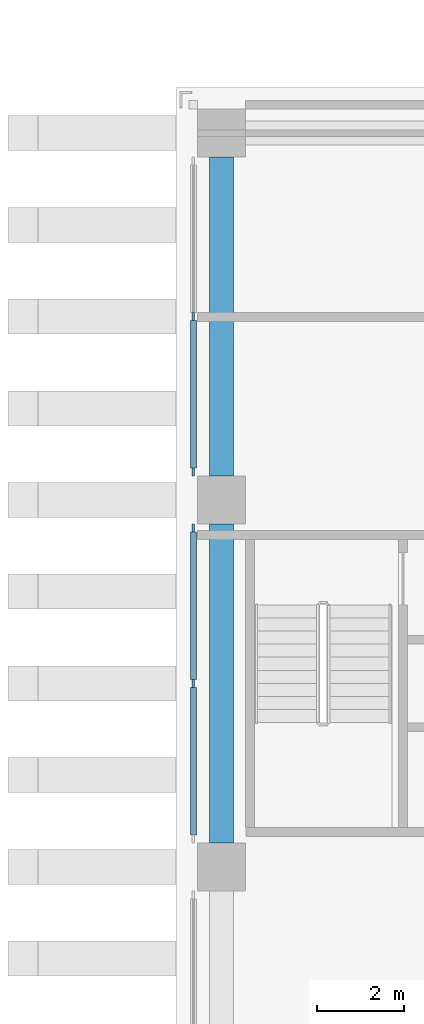
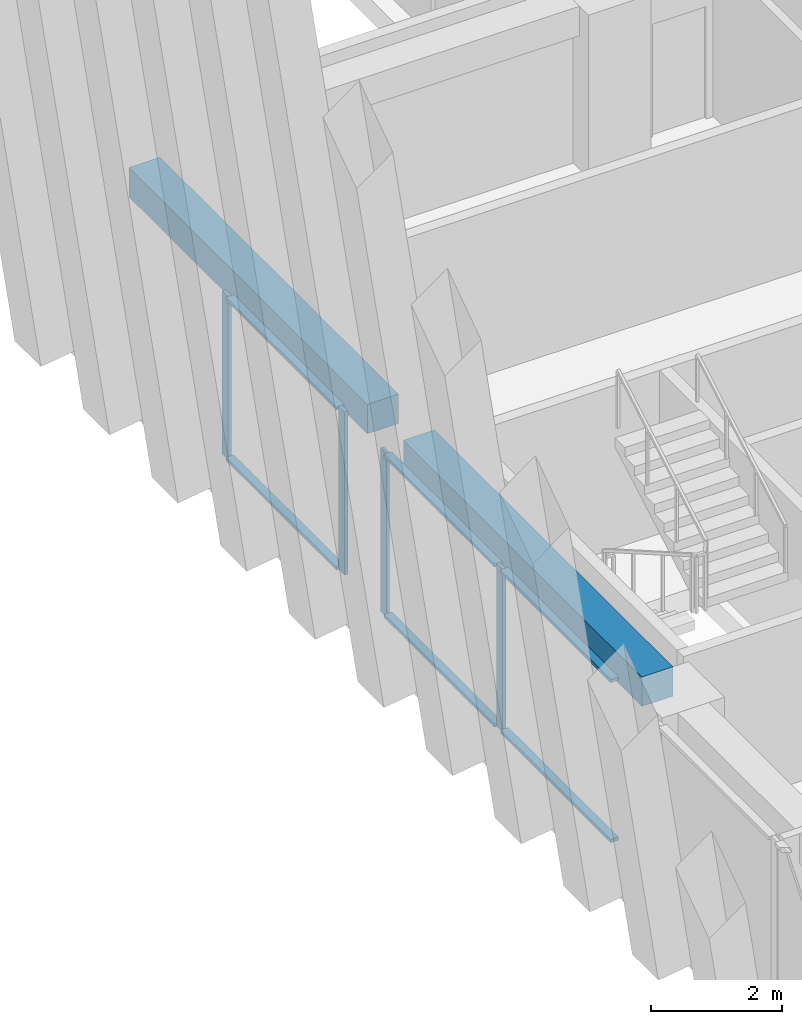
# One storey, part 3 of 15: 10 members, 2 beams, 2 elements without a shape of their own.
"""IFC4 building model written with IfcOpenShell, lengths in metres."""

from ifc_helpers import new_model, si_unit, direction, frame, origin, origin_2d, place, context, subcontext, project, spatial, rectangle, extrude, material, material_profile, profile_set, type_object, element, aggregate, save


model = new_model("IFC4")

# Units and contexts
model_context = context("Model", 3, precision=1e-05, world=origin(), true_north=direction((0.0, 1.0)))
body_context = subcontext(model_context, "Body", "Model", "MODEL_VIEW")
ifc_project = project(units=[si_unit("LENGTHUNIT", "METRE"), si_unit("AREAUNIT", "SQUARE_METRE"), si_unit("VOLUMEUNIT", "CUBIC_METRE"), si_unit("PLANEANGLEUNIT", "RADIAN"), si_unit("MASSUNIT", "GRAM", prefix="KILO")], contexts=[model_context])

# Site, building, storey
site_placement = place(None, origin())
site = spatial("IfcSite", under=ifc_project, at=site_placement, CompositionType="ELEMENT")
building_placement = place(site_placement, origin())
building = spatial("IfcBuilding", under=site, at=building_placement, Name="Vermilion Ogive Tower", CompositionType="ELEMENT")
storey_placement = place(building_placement, frame((0.0, 0.0, 153.800048828125)))
storey = spatial("IfcBuildingStorey", under=building, at=storey_placement, Name="L39", CompositionType="ELEMENT", Elevation=153.800048828125)

# Curtain wall, members
ifc_material_1 = material(Name="Low-iron laminated glazing in aluminium frame", Category="aluminium")
curtain_wall_type = type_object("IfcCurtainWallType", Name="Curtain wall CW7", PredefinedType="NOTDEFINED", material=ifc_material_1)
curtain_wall_1_placement = place(storey_placement, origin())
curtain_wall_1 = element("IfcCurtainWall", 1, at=curtain_wall_1_placement, inside=storey, type_object=curtain_wall_type, Name="Glazed skin W1", PredefinedType="NOTDEFINED")
ifc_material_2 = material(Name="Aluminium mullion", Category="aluminium")
ifc_material_profile_1 = material_profile(ifc_material_2, rectangle(XDim=0.06005859375, YDim=0.179931640625, at=origin_2d()), Name="AL 60x180")
ifc_profile_set_1 = profile_set([ifc_material_profile_1], Name="Aluminium mullion")
member_type_1 = type_object("IfcMemberType", Name="CW7 mullion 60x180", PredefinedType="MULLION", material=ifc_profile_set_1)
member_1_placement = place(storey_placement, frame((-21.64990234375, 8.39990234375, 0.0), z_axis=(0.0, 0.0, 1.0), x_axis=(1.0, 0.0, 0.0)))
member_1 = element("IfcMember", 2, at=member_1_placement, type_object=member_type_1, Name="CW7-W1 mullion 2", PredefinedType="MULLION", context=body_context, shape_type="SweptSolid", body=[
    extrude(rectangle(XDim=0.06005859375, YDim=0.179931640625, at=origin_2d()), origin(), (0.0, 0.0, 1.0), 3.050048828125),
])
member_2_placement = place(storey_placement, frame((-21.64990234375, 4.840087890625, 0.0), z_axis=(0.0, 0.0, 1.0), x_axis=(1.0, 0.0, 0.0)))
member_2 = element("IfcMember", 3, at=member_2_placement, type_object=member_type_1, Name="CW7-W1 mullion 3", PredefinedType="MULLION", context=body_context, shape_type="SweptSolid", body=[
    extrude(rectangle(XDim=0.06005859375, YDim=0.179931640625, at=origin_2d()), origin(), (0.0, 0.0, 1.0), 3.050048828125),
])

curtain_wall_2_placement = place(storey_placement, origin())
curtain_wall_2 = element("IfcCurtainWall", 4, at=curtain_wall_2_placement, inside=storey, type_object=curtain_wall_type, Name="Glazed skin W2", PredefinedType="NOTDEFINED")
member_3_placement = place(storey_placement, frame((-21.64990234375, 3.56005859375, 0.0), z_axis=(0.0, 0.0, 1.0), x_axis=(1.0, 0.0, 0.0)))
member_3 = element("IfcMember", 5, at=member_3_placement, type_object=member_type_1, Name="CW7-W2 mullion 1", PredefinedType="MULLION", context=body_context, shape_type="SweptSolid", body=[
    extrude(rectangle(XDim=0.06005859375, YDim=0.179931640625, at=origin_2d()), origin(), (0.0, 0.0, 1.0), 3.050048828125),
])
member_4_placement = place(storey_placement, frame((-21.64990234375, 0.0, 0.0), z_axis=(0.0, 0.0, 1.0), x_axis=(1.0, 0.0, 0.0)))
member_4 = element("IfcMember", 6, at=member_4_placement, type_object=member_type_1, Name="CW7-W2 mullion 2", PredefinedType="MULLION", context=body_context, shape_type="SweptSolid", body=[
    extrude(rectangle(XDim=0.06005859375, YDim=0.179931640625, at=origin_2d()), origin(), (0.0, 0.0, 1.0), 3.050048828125),
])

# Member
ifc_material_3 = material(Name="Aluminium transom", Category="aluminium")
ifc_material_profile_2 = material_profile(ifc_material_3, rectangle(XDim=0.139892578125, YDim=0.06005859375, at=origin_2d()), Name="AL 60x140")
ifc_profile_set_2 = profile_set([ifc_material_profile_2], Name="Aluminium transom")
member_type_2 = type_object("IfcMemberType", Name="CW7 transom 60x140", PredefinedType="USERDEFINED", material=ifc_profile_set_2)
member_5_placement = place(storey_placement, frame((-21.64990234375, 8.31005859375, 0.030029296875), z_axis=(0.0, -1.0, 0.0), x_axis=(1.0, 0.0, 0.0)))
member_5 = element("IfcMember", 7, at=member_5_placement, type_object=member_type_2, Name="CW7-W1 transom 2.1", ObjectType="TRANSOM", PredefinedType="USERDEFINED", context=body_context, shape_type="SweptSolid", body=[
    extrude(rectangle(XDim=0.139892578125, YDim=0.06005859375, at=origin_2d()), origin(), (0.0, 0.0, 1.0), 3.380126953125),
])

member_6_placement = place(storey_placement, frame((-21.64990234375, 8.31005859375, 3.02001953125), z_axis=(0.0, -1.0, 0.0), x_axis=(1.0, 0.0, 0.0)))
member_6 = element("IfcMember", 8, at=member_6_placement, type_object=member_type_2, Name="CW7-W1 transom 2.2", ObjectType="TRANSOM", PredefinedType="USERDEFINED", context=body_context, shape_type="SweptSolid", body=[
    extrude(rectangle(XDim=0.139892578125, YDim=0.06005859375, at=origin_2d()), origin(), (0.0, 0.0, 1.0), 3.380126953125),
])

aggregate(curtain_wall_1, [member_1, member_2, member_5, member_6])

member_7_placement = place(storey_placement, frame((-21.64990234375, 3.469970703125, 0.030029296875), z_axis=(0.0, -1.0, 0.0), x_axis=(1.0, 0.0, 0.0)))
member_7 = element("IfcMember", 9, at=member_7_placement, type_object=member_type_2, Name="CW7-W2 transom 1.1", ObjectType="TRANSOM", PredefinedType="USERDEFINED", context=body_context, shape_type="SweptSolid", body=[
    extrude(rectangle(XDim=0.139892578125, YDim=0.06005859375, at=origin_2d()), origin(), (0.0, 0.0, 1.0), 3.3798828125),
])

member_8_placement = place(storey_placement, frame((-21.64990234375, 3.469970703125, 3.02001953125), z_axis=(0.0, -1.0, 0.0), x_axis=(1.0, 0.0, 0.0)))
member_8 = element("IfcMember", 10, at=member_8_placement, type_object=member_type_2, Name="CW7-W2 transom 1.2", ObjectType="TRANSOM", PredefinedType="USERDEFINED", context=body_context, shape_type="SweptSolid", body=[
    extrude(rectangle(XDim=0.139892578125, YDim=0.06005859375, at=origin_2d()), origin(), (0.0, 0.0, 1.0), 3.3798828125),
])

member_9_placement = place(storey_placement, frame((-21.64990234375, -0.090087890625, 0.030029296875), z_axis=(0.0, -1.0, 0.0), x_axis=(1.0, 0.0, 0.0)))
member_9 = element("IfcMember", 11, at=member_9_placement, type_object=member_type_2, Name="CW7-W2 transom 2.1", ObjectType="TRANSOM", PredefinedType="USERDEFINED", context=body_context, shape_type="SweptSolid", body=[
    extrude(rectangle(XDim=0.139892578125, YDim=0.06005859375, at=origin_2d()), origin(), (0.0, 0.0, 1.0), 3.3798828125),
])

member_10_placement = place(storey_placement, frame((-21.64990234375, -0.090087890625, 3.02001953125), z_axis=(0.0, -1.0, 0.0), x_axis=(1.0, 0.0, 0.0)))
member_10 = element("IfcMember", 12, at=member_10_placement, type_object=member_type_2, Name="CW7-W2 transom 2.2", ObjectType="TRANSOM", PredefinedType="USERDEFINED", context=body_context, shape_type="SweptSolid", body=[
    extrude(rectangle(XDim=0.139892578125, YDim=0.06005859375, at=origin_2d()), origin(), (0.0, 0.0, 1.0), 3.3798828125),
])

aggregate(curtain_wall_2, [member_3, member_4, member_7, member_8, member_9, member_10])

# Beams
ifc_material_4 = material(Name="Concrete B45", Category="concrete")
ifc_material_profile_3 = material_profile(ifc_material_4, rectangle(XDim=0.550048828125, YDim=0.550048828125, at=origin_2d()), Name="550 x 550")
ifc_profile_set_3 = profile_set([ifc_material_profile_3], Name="Concrete B45")
beam_type = type_object("IfcBeamType", Name="Edge beam 550 x 550 B45", PredefinedType="BEAM", material=ifc_profile_set_3)
beam_1_placement = place(storey_placement, frame((-21.0, 12.050048828125, 2.77490234375), z_axis=(0.0, -1.0, 0.0), x_axis=(1.0, 0.0, 0.0)))
element("IfcBeam", 13, at=beam_1_placement, inside=storey, type_object=beam_type, Name="L39-EB-13", PredefinedType="BEAM", context=body_context, shape_type="SweptSolid", body=[
    extrude(rectangle(XDim=0.550048828125, YDim=0.550048828125, at=origin_2d()), origin(), (0.0, 0.0, 1.0), 7.300048828125),
])
beam_2_placement = place(storey_placement, frame((-21.0, 3.64990234375, 2.77490234375), z_axis=(0.0, -1.0, 0.0), x_axis=(1.0, 0.0, 0.0)))
element("IfcBeam", 14, at=beam_2_placement, inside=storey, type_object=beam_type, Name="L39-EB-14", PredefinedType="BEAM", context=body_context, shape_type="SweptSolid", body=[
    extrude(rectangle(XDim=0.550048828125, YDim=0.550048828125, at=origin_2d()), origin(), (0.0, 0.0, 1.0), 7.2998046875),
])

save(model, "model.ifc")
